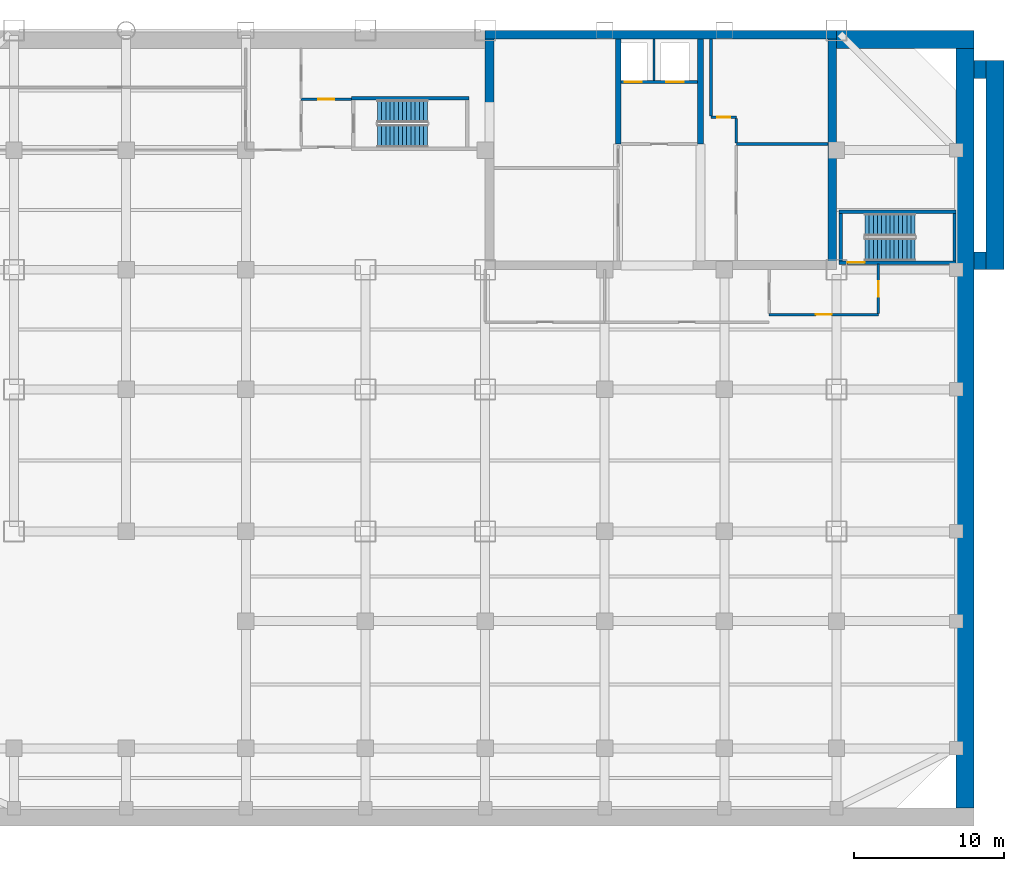
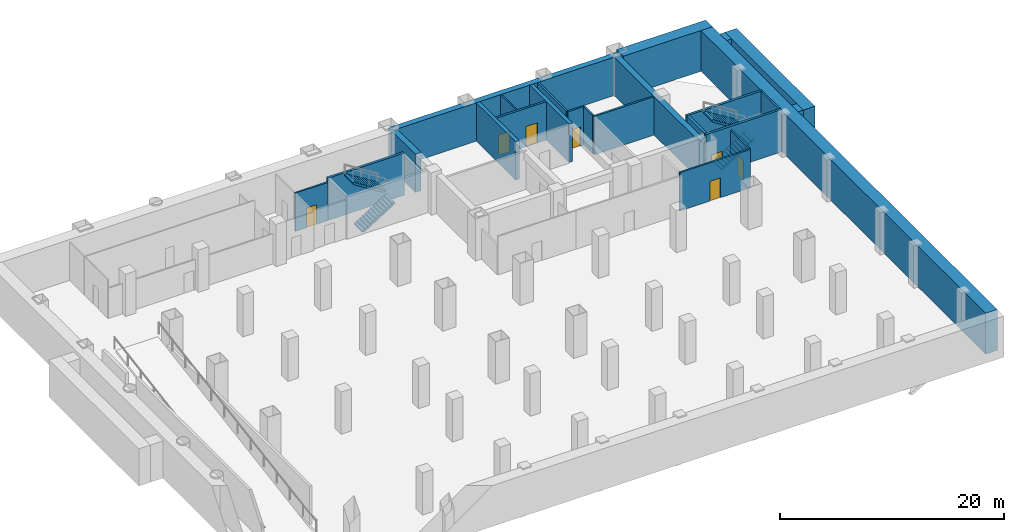
# One storey, part 5 of 8: 24 walls, 7 doors, 4 stair flights, 7 openings, 2 elements without a shape of their own.
"""IFC4 building model written with IfcOpenShell, lengths in metres."""

from ifc_helpers import new_model, si_unit, direction, frame, frame_2d, origin, place, context, subcontext, project, spatial, polyline, rectangle, outline, extrude, material, layer, layer_set, type_object, element, fill, aggregate, save


model = new_model("IFC4")

# Units and contexts
model_context = context("Model", 3, precision=1e-05, world=origin(), true_north=direction((0.0, 1.0)))
body_context = subcontext(model_context, "Body", "Model", "MODEL_VIEW")
ifc_project = project(units=[si_unit("LENGTHUNIT", "METRE"), si_unit("AREAUNIT", "SQUARE_METRE"), si_unit("VOLUMEUNIT", "CUBIC_METRE"), si_unit("PLANEANGLEUNIT", "RADIAN"), si_unit("MASSUNIT", "GRAM", prefix="KILO")], contexts=[model_context])

# Site, building, storey
site_placement = place(None, origin())
site = spatial("IfcSite", under=ifc_project, at=site_placement, CompositionType="ELEMENT")
building_placement = place(site_placement, origin())
building = spatial("IfcBuilding", under=site, at=building_placement, Name="Qianrong Seaharbour Tower", CompositionType="ELEMENT")
storey_placement = place(building_placement, frame((0.0, 0.0, -4.60009765625)))
storey = spatial("IfcBuildingStorey", under=building, at=storey_placement, Name="B01", CompositionType="ELEMENT", Elevation=-4.60009765625)

# Walls
ifc_material_1 = material(Name="Concrete C70/85", Category="concrete")
ifc_layer_1 = layer(ifc_material_1, 0.580078125)
ifc_layer_set_1 = layer_set([ifc_layer_1], Name="Concrete C70/85")
wall_type_1 = type_object("IfcWallType", Name="WALL-CORE-580", PredefinedType="SHEAR", material=ifc_layer_set_1)
wall_1_placement = place(storey_placement, frame((40.5, 51.7099609375, 0.0), z_axis=(0.0, 0.0, 1.0), x_axis=(1.0, 0.0, 0.0)))
element("IfcWall", 1, at=wall_1_placement, inside=storey, type_object=wall_type_1, Name="B01 North Core Shear Wall", PredefinedType="SHEAR", context=body_context, shape_type="SweptSolid", body=[
    extrude(rectangle(XDim=23.5, YDim=0.580078125, at=frame_2d((11.75, 0.0))), origin(), (0.0, 0.0, 1.0), 4.18017578125),
])
wall_2_placement = place(storey_placement, frame((63.7099609375, 36.320068359375, 0.0), z_axis=(0.0, 0.0, 1.0), x_axis=(0.0, 1.0, 0.0)))
element("IfcWall", 2, at=wall_2_placement, inside=storey, type_object=wall_type_1, Name="B01 East Core Shear Wall", PredefinedType="SHEAR", context=body_context, shape_type="SweptSolid", body=[
    extrude(rectangle(XDim=15.099853515625, YDim=0.580078125, at=frame_2d((7.5498046875, 0.0))), origin(), (0.0, 0.0, 1.0), 4.18017578125),
])
wall_3_placement = place(storey_placement, frame((40.7900390625, 47.199951171875, 0.0), z_axis=(0.0, 0.0, 1.0), x_axis=(0.0, 1.0, 0.0)))
element("IfcWall", 3, at=wall_3_placement, inside=storey, type_object=wall_type_1, Name="B01 West Core Shear Wall North", PredefinedType="SHEAR", context=body_context, shape_type="SweptSolid", body=[
    extrude(rectangle(XDim=4.219970703125, YDim=0.580078125, at=frame_2d((2.10986328125, 0.0))), origin(), (0.0, 0.0, 1.0), 4.18017578125),
])
ifc_material_2 = material(Name="Concrete C60/75", Category="concrete")
ifc_layer_2 = layer(ifc_material_2, 0.3798828125)
ifc_layer_set_2 = layer_set([ifc_layer_2], Name="Concrete C60/75")
wall_type_2 = type_object("IfcWallType", Name="WALL-CORE-INT-380", PredefinedType="SHEAR", material=ifc_layer_set_2)
for number, where, z_axis, x_axis, name in (
    (4, (49.39990234375, 44.39990234375, 0.0), (0.0, 0.0, 1.0), (0.0, 1.0, 0.0), "B01 Internal Core Shear Wall IW1N"),
    (5, (54.89990234375, 44.39990234375, 0.0), (0.0, 0.0, 1.0), (0.0, 1.0, 0.0), "B01 Internal Core Shear Wall IW2N"),
):
    element("IfcWall", number, at=place(storey_placement, frame(where, z_axis=z_axis, x_axis=x_axis)), inside=storey, type_object=wall_type_2, Name=name, PredefinedType="SHEAR", context=body_context, shape_type="SweptSolid", body=[
        extrude(rectangle(XDim=7.02001953125, YDim=0.3798828125, at=frame_2d((3.510009765625, 0.0))), origin(), (0.0, 0.0, 1.0), 4.18017578125),
    ])

# Wall, opening, door
ifc_material_3 = material(Name="Fire-rated acoustic gypsum board partition")
ifc_layer_3 = layer(ifc_material_3, 0.1650390625)
ifc_layer_set_3 = layer_set([ifc_layer_3], Name="Fire-rated acoustic gypsum board partition")
wall_type_3 = type_object("IfcWallType", Name="WALL-CORR-PART-165", PredefinedType="PARTITIONING", material=ifc_layer_set_3)
wall_4_placement = place(storey_placement, frame((28.199951171875, 47.39990234375, 0.0), z_axis=(0.0, 0.0, 1.0), x_axis=(1.0, 0.0, 0.0)))
wall_4 = element("IfcWall", 6, at=wall_4_placement, inside=storey, type_object=wall_type_3, Name="B01 Interior Partition Wall 012", PredefinedType="PARTITIONING", context=body_context, shape_type="SweptSolid", body=[
    extrude(rectangle(XDim=3.360107421875, YDim=0.1650390625, at=frame_2d((1.68017578125, 0.0))), origin(), (0.0, 0.0, 1.0), 4.18017578125),
])
opening_1_placement = place(wall_4_placement, frame((1.155029296875, 0.0, 0.0)))
opening_1 = element("IfcOpeningElement", 7, at=opening_1_placement, cuts=wall_4, Name="Opening DC-01", PredefinedType="OPENING", context=body_context, shape_type="SweptSolid", body=[
    extrude(rectangle(XDim=1.050048828125, YDim=2.14990234375, at=frame_2d((0.52490234375, 1.074951171875))), frame((0.0, 0.092529296875, 0.0), z_axis=(0.0, -1.0, 0.0), x_axis=(1.0, 0.0, 0.0)), (0.0, 0.0, 1.0), 0.18505859375),
])
ifc_material_4 = material(Name="Acoustic timber and galvanized steel fire door assembly", Category="steel")
door_type_1 = type_object("IfcDoorType", Name="DOOR-CORR-FD60-1050x2150", OperationType="NOTDEFINED", PredefinedType="DOOR", material=ifc_material_4)
door_1_placement = place(opening_1_placement, origin())
door_1 = element("IfcDoor", 8, at=door_1_placement, inside=storey, type_object=door_type_1, Name="B01 Basement Stair Vestibule BST-1 Door", OperationType="SINGLE_SWING_LEFT", OverallHeight=2.14990234375, OverallWidth=1.050048828125, PredefinedType="DOOR", context=body_context, shape_type="SweptSolid", body=[
    extrude(rectangle(XDim=1.050048828125, YDim=2.14990234375, at=frame_2d((0.52490234375, 1.074951171875))), frame((0.0, 0.02490234375, 0.0), z_axis=(0.0, -1.0, 0.0), x_axis=(1.0, 0.0, 0.0)), (0.0, 0.0, 1.0), 0.050048828125),
])
fill(opening_1, door_1)

wall_5_placement = place(storey_placement, frame((66.800048828125, 36.367919921875, 0.0), z_axis=(0.0, 0.0, 1.0), x_axis=(0.0, -1.0, 0.0)))
wall_5 = element("IfcWall", 9, at=wall_5_placement, inside=storey, type_object=wall_type_3, Name="B01 Interior Partition Wall 014", PredefinedType="PARTITIONING", context=body_context, shape_type="SweptSolid", body=[
    extrude(rectangle(XDim=3.29345703125, YDim=0.1650390625, at=frame_2d((1.646728515625, 0.0))), origin(), (0.0, 0.0, 1.0), 4.18017578125),
])
opening_2_placement = place(wall_5_placement, frame((1.121826171875, 0.0, 0.0)))
opening_2 = element("IfcOpeningElement", 10, at=opening_2_placement, cuts=wall_5, Name="Opening DC-01", PredefinedType="OPENING", context=body_context, shape_type="SweptSolid", body=[
    extrude(rectangle(XDim=1.050048828125, YDim=2.14990234375, at=frame_2d((0.52490234375, 1.074951171875))), frame((0.0, 0.092529296875, 0.0), z_axis=(0.0, -1.0, 0.0), x_axis=(1.0, 0.0, 0.0)), (0.0, 0.0, 1.0), 0.18505859375),
])
door_2_placement = place(opening_2_placement, origin())
door_2 = element("IfcDoor", 11, at=door_2_placement, inside=storey, type_object=door_type_1, Name="B01 Basement Stair Vestibule BST-2 Door", OperationType="SINGLE_SWING_LEFT", OverallHeight=2.14990234375, OverallWidth=1.050048828125, PredefinedType="DOOR", context=body_context, shape_type="SweptSolid", body=[
    extrude(rectangle(XDim=1.050048828125, YDim=2.14990234375, at=frame_2d((0.52490234375, 1.074951171875))), frame((0.0, 0.02490234375, 0.0), z_axis=(0.0, -1.0, 0.0), x_axis=(1.0, 0.0, 0.0)), (0.0, 0.0, 1.0), 0.050048828125),
])
fill(opening_2, door_2)

wall_6_placement = place(storey_placement, frame((66.800048828125, 33.0, 0.0), z_axis=(0.0, 0.0, 1.0), x_axis=(-1.0, 0.0, 0.0)))
wall_6 = element("IfcWall", 12, at=wall_6_placement, inside=storey, type_object=wall_type_3, Name="B01 Interior Partition Wall 015", PredefinedType="PARTITIONING", context=body_context, shape_type="SweptSolid", body=[
    extrude(rectangle(XDim=7.300048828125, YDim=0.1650390625, at=frame_2d((3.64990234375, 0.0))), origin(), (0.0, 0.0, 1.0), 4.18017578125),
])
opening_3_placement = place(wall_6_placement, frame((3.125, 0.0, 0.0)))
opening_3 = element("IfcOpeningElement", 13, at=opening_3_placement, cuts=wall_6, Name="Opening DC-01", PredefinedType="OPENING", context=body_context, shape_type="SweptSolid", body=[
    extrude(rectangle(XDim=1.050048828125, YDim=2.14990234375, at=frame_2d((0.52490234375, 1.074951171875))), frame((0.0, 0.092529296875, 0.0), z_axis=(0.0, -1.0, 0.0), x_axis=(1.0, 0.0, 0.0)), (0.0, 0.0, 1.0), 0.18505859375),
])
door_3_placement = place(opening_3_placement, origin())
door_3 = element("IfcDoor", 14, at=door_3_placement, inside=storey, type_object=door_type_1, Name="B01 Basement Stair Vestibule BST-2 Door", OperationType="SINGLE_SWING_LEFT", OverallHeight=2.14990234375, OverallWidth=1.050048828125, PredefinedType="DOOR", context=body_context, shape_type="SweptSolid", body=[
    extrude(rectangle(XDim=1.050048828125, YDim=2.14990234375, at=frame_2d((0.52490234375, 1.074951171875))), frame((0.0, 0.02490234375, 0.0), z_axis=(0.0, -1.0, 0.0), x_axis=(1.0, 0.0, 0.0)), (0.0, 0.0, 1.0), 0.050048828125),
])
fill(opening_3, door_3)

# Walls
ifc_material_5 = material(Name="Concrete C50/60", Category="concrete")
ifc_layer_4 = layer(ifc_material_5, 1.199951171875)
ifc_layer_set_4 = layer_set([ifc_layer_4], Name="Concrete C50/60")
wall_type_4 = type_object("IfcWallType", Name="WALL-DW-1200", PredefinedType="USERDEFINED", material=ifc_layer_set_4)
wall_7_placement = place(storey_placement, frame((74.60009765625, 36.0, 0.0), z_axis=(0.0, 0.0, 1.0), x_axis=(0.0, 1.0, 0.0)))
element("IfcWall", 15, at=wall_7_placement, inside=storey, type_object=wall_type_4, Name="B01 East Harbour Quay Retaining Wall", ObjectType="DIAPHRAGM WALL", PredefinedType="USERDEFINED", context=body_context, shape_type="SweptSolid", body=[
    extrude(rectangle(XDim=14.0, YDim=1.199951171875, at=frame_2d((7.0, 0.0))), origin(), (0.0, 0.0, 1.0), 4.050048828125),
])
for number, where, z_axis, x_axis, name in (
    (16, (73.199951171875, 36.60009765625, 0.0), (0.0, 0.0, 1.0), (1.0, 0.0, 0.0), "B01 East Quay Return Wall S"),
    (17, (73.199951171875, 49.39990234375, 0.0), (0.0, 0.0, 1.0), (1.0, 0.0, 0.0), "B01 East Quay Return Wall N"),
):
    element("IfcWall", number, at=place(storey_placement, frame(where, z_axis=z_axis, x_axis=x_axis)), inside=storey, type_object=wall_type_4, Name=name, ObjectType="DIAPHRAGM WALL", PredefinedType="USERDEFINED", context=body_context, shape_type="SweptSolid", body=[
        extrude(rectangle(XDim=0.800048828125, YDim=1.199951171875, at=frame_2d((0.39990234375, 0.0))), origin(), (0.0, 0.0, 1.0), 4.050048828125),
    ])
wall_8_placement = place(storey_placement, frame((64.0, 51.39990234375, 0.0), z_axis=(0.0, 0.0, 1.0), x_axis=(1.0, 0.0, 0.0)))
element("IfcWall", 18, at=wall_8_placement, inside=storey, type_object=wall_type_4, Name="B01 North-East Diaphragm Retaining Wall", ObjectType="DIAPHRAGM WALL", PredefinedType="USERDEFINED", context=body_context, shape_type="SweptSolid", body=[
    extrude(rectangle(XDim=9.199951171875, YDim=1.199951171875, at=frame_2d((4.60009765625, 0.0))), origin(), (0.0, 0.0, 1.0), 4.4501953125),
])
wall_9_placement = place(storey_placement, frame((72.60009765625, 0.0, 0.0), z_axis=(0.0, 0.0, 1.0), x_axis=(0.0, 1.0, 0.0)))
element("IfcWall", 19, at=wall_9_placement, inside=storey, type_object=wall_type_4, Name="B01 East Diaphragm Retaining Wall", ObjectType="DIAPHRAGM WALL", PredefinedType="USERDEFINED", context=body_context, shape_type="SweptSolid", body=[
    extrude(rectangle(XDim=50.800048828125, YDim=1.199951171875, at=frame_2d((25.39990234375, 0.0))), origin(), (0.0, 0.0, 1.0), 4.4501953125),
])

# Wall, opening, door
ifc_material_6 = material(Name="Double fire-rated gypsum board acoustic partition")
ifc_layer_5 = layer(ifc_material_6, 0.18994140625)
ifc_layer_set_5 = layer_set([ifc_layer_5], Name="Double fire-rated gypsum board acoustic partition")
wall_type_5 = type_object("IfcWallType", Name="WALL-FIRE-PART-190", PredefinedType="PARTITIONING", material=ifc_layer_set_5)
wall_10_placement = place(storey_placement, frame((55.60009765625, 46.199951171875, 0.0), z_axis=(0.0, 0.0, 1.0), x_axis=(1.0, 0.0, 0.0)))
wall_10 = element("IfcWall", 20, at=wall_10_placement, inside=storey, type_object=wall_type_5, Name="B01 Interior Partition Wall 005", PredefinedType="PARTITIONING", context=body_context, shape_type="SweptSolid", body=[
    extrude(rectangle(XDim=1.699951171875, YDim=0.18994140625, at=frame_2d((0.85009765625, 0.0))), origin(), (0.0, 0.0, 1.0), 4.18017578125),
])
opening_4_placement = place(wall_10_placement, frame((0.419921875, 0.0, 0.0)))
opening_4 = element("IfcOpeningElement", 21, at=opening_4_placement, cuts=wall_10, Name="Opening DU-01", PredefinedType="OPENING", context=body_context, shape_type="SweptSolid", body=[
    extrude(rectangle(XDim=0.860107421875, YDim=2.10009765625, at=frame_2d((0.43017578125, 1.050048828125))), frame((0.0, 0.10498046875, 0.0), z_axis=(0.0, -1.0, 0.0), x_axis=(1.0, 0.0, 0.0)), (0.0, 0.0, 1.0), 0.2099609375),
])
door_type_2 = type_object("IfcDoorType", Name="DOOR-UTIL-860x2100", OperationType="NOTDEFINED", PredefinedType="DOOR", material=ifc_material_4)
door_4_placement = place(opening_4_placement, origin())
door_4 = element("IfcDoor", 22, at=door_4_placement, inside=storey, type_object=door_type_2, Name="B01 Smoke Extraction Fan Room Door", OperationType="SINGLE_SWING_LEFT", OverallHeight=2.10009765625, OverallWidth=0.860107421875, PredefinedType="DOOR", context=body_context, shape_type="SweptSolid", body=[
    extrude(rectangle(XDim=0.860107421875, YDim=2.10009765625, at=frame_2d((0.43017578125, 1.050048828125))), frame((0.0, 0.02490234375, 0.0), z_axis=(0.0, -1.0, 0.0), x_axis=(1.0, 0.0, 0.0)), (0.0, 0.0, 1.0), 0.050048828125),
])
fill(opening_4, door_4)

# Walls
wall_11_placement = place(storey_placement, frame((57.300048828125, 46.113037109375, 0.0), z_axis=(0.0, 0.0, 1.0), x_axis=(0.0, -1.0, 0.0)))
element("IfcWall", 23, at=wall_11_placement, inside=storey, type_object=wall_type_5, Name="B01 Interior Partition Wall 006", PredefinedType="PARTITIONING", context=body_context, shape_type="SweptSolid", body=[
    extrude(rectangle(XDim=1.6259765625, YDim=0.18994140625, at=frame_2d((0.81298828125, 0.0))), origin(), (0.0, 0.0, 1.0), 4.18017578125),
])
wall_12_placement = place(storey_placement, frame((57.300048828125, 44.39990234375, 0.0), z_axis=(0.0, 0.0, 1.0), x_axis=(1.0, 0.0, 0.0)))
element("IfcWall", 24, at=wall_12_placement, inside=storey, type_object=wall_type_5, Name="B01 Interior Partition Wall 008", PredefinedType="PARTITIONING", context=body_context, shape_type="SweptSolid", body=[
    extrude(rectangle(XDim=6.119873046875, YDim=0.18994140625, at=frame_2d((3.06005859375, 0.0))), origin(), (0.0, 0.0, 1.0), 4.18017578125),
])
wall_13_placement = place(storey_placement, frame((55.60009765625, 46.287109375, 0.0), z_axis=(0.0, 0.0, 1.0), x_axis=(0.0, 1.0, 0.0)))
element("IfcWall", 25, at=wall_13_placement, inside=storey, type_object=wall_type_5, Name="B01 Interior Partition Wall 009", PredefinedType="PARTITIONING", context=body_context, shape_type="SweptSolid", body=[
    extrude(rectangle(XDim=5.1328125, YDim=0.18994140625, at=frame_2d((2.56640625, 0.0))), origin(), (0.0, 0.0, 1.0), 4.18017578125),
])
ifc_material_7 = material(Name="Fire-rated gypsum board on steel studs", Category="steel")
ifc_layer_6 = layer(ifc_material_7, 0.14990234375)
ifc_layer_set_6 = layer_set([ifc_layer_6], Name="Fire-rated gypsum board on steel studs")
wall_type_6 = type_object("IfcWallType", Name="WALL-SHAFT-DIV-150", PredefinedType="PARTITIONING", material=ifc_layer_set_6)
wall_14_placement = place(storey_placement, frame((51.800048828125, 48.669921875, 0.0), z_axis=(0.0, 0.0, 1.0), x_axis=(0.0, 1.0, 0.0)))
element("IfcWall", 26, at=wall_14_placement, inside=storey, type_object=wall_type_6, Name="B01 Firefighting Lift Shaft Divider Wall", PredefinedType="PARTITIONING", context=body_context, shape_type="SweptSolid", body=[
    extrude(rectangle(XDim=2.75, YDim=0.14990234375, at=frame_2d((1.375, 0.0))), origin(), (0.0, 0.0, 1.0), 4.18017578125),
])

# Wall, openings, doors
ifc_layer_7 = layer(ifc_material_7, 0.219970703125)
ifc_layer_set_7 = layer_set([ifc_layer_7], Name="Fire-rated gypsum board on steel studs")
wall_type_7 = type_object("IfcWallType", Name="WALL-SHAFT-GYP220", PredefinedType="PARTITIONING", material=ifc_layer_set_7)
wall_15_placement = place(storey_placement, frame((54.7099609375, 48.550048828125, 0.0), z_axis=(0.0, 0.0, 1.0), x_axis=(-1.0, 0.0, 0.0)))
wall_15 = element("IfcWall", 27, at=wall_15_placement, inside=storey, type_object=wall_type_7, Name="B01 Firefighting Lift Shaft Front Wall", PredefinedType="PARTITIONING", context=body_context, shape_type="SweptSolid", body=[
    extrude(rectangle(XDim=5.119873046875, YDim=0.219970703125, at=frame_2d((2.56005859375, 0.0))), origin(), (0.0, 0.0, 1.0), 4.18017578125),
])
opening_5_placement = place(wall_15_placement, frame((3.735107421875, 0.0, 0.0)))
opening_5 = element("IfcOpeningElement", 28, at=opening_5_placement, cuts=wall_15, Name="Opening LD-01", PredefinedType="OPENING", context=body_context, shape_type="SweptSolid", body=[
    extrude(rectangle(XDim=1.14990234375, YDim=2.199951171875, at=frame_2d((0.574951171875, 1.10009765625))), frame((0.0, 0.1201171875, 0.0), z_axis=(0.0, -1.0, 0.0), x_axis=(1.0, 0.0, 0.0)), (0.0, 0.0, 1.0), 0.239990234375),
])
opening_6_placement = place(wall_15_placement, frame((0.93505859375, 0.0, 0.0)))
opening_6 = element("IfcOpeningElement", 29, at=opening_6_placement, cuts=wall_15, Name="Opening LD-01", PredefinedType="OPENING", context=body_context, shape_type="SweptSolid", body=[
    extrude(rectangle(XDim=1.14990234375, YDim=2.199951171875, at=frame_2d((0.574951171875, 1.10009765625))), frame((0.0, 0.1201171875, 0.0), z_axis=(0.0, -1.0, 0.0), x_axis=(1.0, 0.0, 0.0)), (0.0, 0.0, 1.0), 0.239990234375),
])
ifc_material_8 = material(Name="Stainless steel SUS316L bi-parting lift landing door", Category="steel")
door_type_3 = type_object("IfcDoorType", Name="DOOR-LIFT-FF-1150x2200", OperationType="DOUBLE_DOOR_SLIDING", PredefinedType="DOOR", material=ifc_material_8)
door_5_placement = place(opening_5_placement, origin())
door_5 = element("IfcDoor", 30, at=door_5_placement, inside=storey, type_object=door_type_3, Name="B01 FL-1 Firefighting Lift Landing Door", OperationType="DOUBLE_DOOR_SLIDING", OverallHeight=2.199951171875, OverallWidth=1.14990234375, PredefinedType="DOOR", context=body_context, shape_type="SweptSolid", body=[
    extrude(rectangle(XDim=1.14990234375, YDim=2.199951171875, at=frame_2d((0.574951171875, 1.10009765625))), frame((0.0, 0.02490234375, 0.0), z_axis=(0.0, -1.0, 0.0), x_axis=(1.0, 0.0, 0.0)), (0.0, 0.0, 1.0), 0.050048828125),
])
fill(opening_5, door_5)
door_6_placement = place(opening_6_placement, origin())
door_6 = element("IfcDoor", 31, at=door_6_placement, inside=storey, type_object=door_type_3, Name="B01 FL-2 Firefighting Lift Landing Door", OperationType="DOUBLE_DOOR_SLIDING", OverallHeight=2.199951171875, OverallWidth=1.14990234375, PredefinedType="DOOR", context=body_context, shape_type="SweptSolid", body=[
    extrude(rectangle(XDim=1.14990234375, YDim=2.199951171875, at=frame_2d((0.574951171875, 1.10009765625))), frame((0.0, 0.02490234375, 0.0), z_axis=(0.0, -1.0, 0.0), x_axis=(1.0, 0.0, 0.0)), (0.0, 0.0, 1.0), 0.050048828125),
])
fill(opening_6, door_6)

# Walls
ifc_layer_8 = layer(ifc_material_5, 0.239990234375)
ifc_layer_set_8 = layer_set([ifc_layer_8], Name="Concrete C50/60")
wall_type_8 = type_object("IfcWallType", Name="WALL-SHAFT-RC240", PredefinedType="SOLIDWALL", material=ifc_layer_set_8)
wall_16_placement = place(storey_placement, frame((31.56005859375, 47.469970703125, 0.0), z_axis=(0.0, 0.0, 1.0), x_axis=(1.0, 0.0, 0.0)))
element("IfcWall", 32, at=wall_16_placement, inside=storey, type_object=wall_type_8, Name="B01 BST-1 Structural Stair Core Wall N", PredefinedType="SOLIDWALL", context=body_context, shape_type="SweptSolid", body=[
    extrude(rectangle(XDim=7.8798828125, YDim=0.239990234375, at=frame_2d((3.93994140625, 0.0))), origin(), (0.0, 0.0, 1.0), 4.60009765625),
])
wall_17_placement = place(storey_placement, frame((64.159912109375, 39.8701171875, 0.0), z_axis=(0.0, 0.0, 1.0), x_axis=(1.0, 0.0, 0.0)))
element("IfcWall", 33, at=wall_17_placement, inside=storey, type_object=wall_type_8, Name="B01 BST-2 Structural Stair Core Wall N", PredefinedType="SOLIDWALL", context=body_context, shape_type="SweptSolid", body=[
    extrude(rectangle(XDim=7.820068359375, YDim=0.239990234375, at=frame_2d((3.91015625, 0.0))), origin(), (0.0, 0.0, 1.0), 4.60009765625),
])

# Wall, opening, door
wall_18_placement = place(storey_placement, frame((71.97998046875, 36.47998046875, 0.0), z_axis=(0.0, 0.0, 1.0), x_axis=(-1.0, 0.0, 0.0)))
wall_18 = element("IfcWall", 34, at=wall_18_placement, inside=storey, type_object=wall_type_8, Name="B01 BST-2 Structural Stair Core Wall S", PredefinedType="SOLIDWALL", context=body_context, shape_type="SweptSolid", body=[
    extrude(rectangle(XDim=7.820068359375, YDim=0.239990234375, at=frame_2d((3.91015625, 0.0))), origin(), (0.0, 0.0, 1.0), 4.60009765625),
])
opening_7_placement = place(wall_18_placement, frame((6.080078125, 0.0, 0.0)))
opening_7 = element("IfcOpeningElement", 35, at=opening_7_placement, cuts=wall_18, Name="Opening SD-01", PredefinedType="OPENING", context=body_context, shape_type="SweptSolid", body=[
    extrude(rectangle(XDim=1.14990234375, YDim=2.199951171875, at=frame_2d((0.574951171875, 1.10009765625))), frame((0.0, 0.1298828125, 0.0), z_axis=(0.0, -1.0, 0.0), x_axis=(1.0, 0.0, 0.0)), (0.0, 0.0, 1.0), 0.260009765625),
])
door_type_4 = type_object("IfcDoorType", Name="DOOR-STAIR-FD60-1150x2200", OperationType="NOTDEFINED", PredefinedType="DOOR", material=ifc_material_4)
door_7_placement = place(opening_7_placement, origin())
door_7 = element("IfcDoor", 36, at=door_7_placement, inside=storey, type_object=door_type_4, Name="B01 BST-2 Protected Stair Door", OperationType="SINGLE_SWING_LEFT", OverallHeight=2.199951171875, OverallWidth=1.14990234375, PredefinedType="DOOR", context=body_context, shape_type="SweptSolid", body=[
    extrude(rectangle(XDim=1.14990234375, YDim=2.199951171875, at=frame_2d((0.574951171875, 1.10009765625))), frame((0.0, 0.02490234375, 0.0), z_axis=(0.0, -1.0, 0.0), x_axis=(1.0, 0.0, 0.0)), (0.0, 0.0, 1.0), 0.050048828125),
])
fill(opening_7, door_7)

# Walls
wall_19_placement = place(storey_placement, frame((64.280029296875, 39.75, 0.0), z_axis=(0.0, 0.0, 1.0), x_axis=(0.0, -1.0, 0.0)))
element("IfcWall", 37, at=wall_19_placement, inside=storey, type_object=wall_type_8, Name="B01 BST-2 Structural Stair Core Wall W", PredefinedType="SOLIDWALL", context=body_context, shape_type="SweptSolid", body=[
    extrude(rectangle(XDim=3.14990234375, YDim=0.239990234375, at=frame_2d((1.574951171875, 0.0))), origin(), (0.0, 0.0, 1.0), 4.60009765625),
])
wall_20_placement = place(storey_placement, frame((71.889892578125, 36.60009765625, 0.0), z_axis=(0.0, 0.0, 1.0), x_axis=(0.0, 1.0, 0.0)))
element("IfcWall", 38, at=wall_20_placement, inside=storey, type_object=wall_type_8, Name="B01 BST-2 Structural Stair Core Wall E", PredefinedType="SOLIDWALL", context=body_context, shape_type="SweptSolid", body=[
    extrude(rectangle(XDim=3.14990234375, YDim=0.179931640625, at=frame_2d((1.574951171875, 0.0))), origin(), (0.0, 0.0, 1.0), 4.60009765625),
])

# Stair, stair flights
stair_type = type_object("IfcStairType", Name="STAIR-DOGLEG-1500-R26", PredefinedType="HALF_TURN_STAIR", material=ifc_material_5)
stair_1_placement = place(storey_placement, origin())
stair_1 = element("IfcStair", 39, at=stair_1_placement, inside=storey, type_object=stair_type, Name="B01 Protected Escape Stair BST-1", PredefinedType="HALF_TURN_STAIR")
stair_flight_type = type_object("IfcStairFlightType", Name="FLIGHT-STR-1500-R26", PredefinedType="STRAIGHT", material=ifc_material_5)
stair_flight_1_placement = place(storey_placement, frame((33.300048828125, 44.949951171875, 0.0), z_axis=(0.0, 0.0, 1.0), x_axis=(1.0, 0.0, 0.0)))
stair_flight_1 = element("IfcStairFlight", 40, at=stair_flight_1_placement, type_object=stair_flight_type, Name="BST-1 flight 1", NumberOfRisers=13, NumberOfTreads=12, PredefinedType="STRAIGHT", RiserHeight=0.176923077, TreadLength=0.28, context=body_context, shape_type="SweptSolid", body=[
    extrude(outline(polyline([(0.0, 0.0), (0.0, 0.177001953125), (0.280029296875, 0.177001953125), (0.280029296875, 0.353759765625), (0.56005859375, 0.353759765625), (0.56005859375, 0.53076171875), (0.840087890625, 0.53076171875), (0.840087890625, 0.707763671875), (1.1201171875, 0.707763671875), (1.1201171875, 0.884521484375), (1.39990234375, 0.884521484375), (1.39990234375, 1.0615234375), (1.679931640625, 1.0615234375), (1.679931640625, 1.238525390625), (1.9599609375, 1.238525390625), (1.9599609375, 1.415283203125), (2.239990234375, 1.415283203125), (2.239990234375, 1.59228515625), (2.52001953125, 1.59228515625), (2.52001953125, 1.769287109375), (2.800048828125, 1.769287109375), (2.800048828125, 1.946044921875), (3.080078125, 1.946044921875), (3.080078125, 2.123046875), (3.360107421875, 2.123046875), (3.360107421875, 2.300048828125), (3.360107421875, 1.933837890625), (0.29931640625, 0.0), (0.0, 0.0)])), frame((0.0, 0.75, 0.0), z_axis=(0.0, -1.0, 0.0), x_axis=(1.0, 0.0, 0.0)), (0.0, 0.0, 1.0), 1.5),
])
stair_flight_2_placement = place(storey_placement, frame((36.659912109375, 46.60009765625, 2.300048828125), z_axis=(0.0, 0.0, 1.0), x_axis=(-1.0, 0.0, 0.0)))
stair_flight_2 = element("IfcStairFlight", 41, at=stair_flight_2_placement, type_object=stair_flight_type, Name="BST-1 flight 2", NumberOfRisers=13, NumberOfTreads=12, PredefinedType="STRAIGHT", RiserHeight=0.176923077, TreadLength=0.28, context=body_context, shape_type="SweptSolid", body=[
    extrude(outline(polyline([(0.0, 0.0), (0.0, 0.177001953125), (0.280029296875, 0.177001953125), (0.280029296875, 0.353759765625), (0.56005859375, 0.353759765625), (0.56005859375, 0.53076171875), (0.840087890625, 0.53076171875), (0.840087890625, 0.707763671875), (1.1201171875, 0.707763671875), (1.1201171875, 0.884521484375), (1.39990234375, 0.884521484375), (1.39990234375, 1.0615234375), (1.679931640625, 1.0615234375), (1.679931640625, 1.238525390625), (1.9599609375, 1.238525390625), (1.9599609375, 1.415283203125), (2.239990234375, 1.415283203125), (2.239990234375, 1.59228515625), (2.52001953125, 1.59228515625), (2.52001953125, 1.769287109375), (2.800048828125, 1.769287109375), (2.800048828125, 1.946044921875), (3.080078125, 1.946044921875), (3.080078125, 2.123046875), (3.360107421875, 2.123046875), (3.360107421875, 2.300048828125), (3.360107421875, 1.933837890625), (0.29931640625, 0.0), (0.0, 0.0)])), frame((0.0, 0.75, 0.0), z_axis=(0.0, -1.0, 0.0), x_axis=(1.0, 0.0, 0.0)), (0.0, 0.0, 1.0), 1.5),
])
aggregate(stair_1, [stair_flight_1, stair_flight_2])

stair_2_placement = place(storey_placement, origin())
stair_2 = element("IfcStair", 42, at=stair_2_placement, inside=storey, type_object=stair_type, Name="B01 Protected Escape Stair BST-2", PredefinedType="HALF_TURN_STAIR")
stair_flight_3_placement = place(storey_placement, frame((65.89990234375, 37.35009765625, 0.0), z_axis=(0.0, 0.0, 1.0), x_axis=(1.0, 0.0, 0.0)))
stair_flight_3 = element("IfcStairFlight", 43, at=stair_flight_3_placement, type_object=stair_flight_type, Name="BST-2 flight 1", NumberOfRisers=13, NumberOfTreads=12, PredefinedType="STRAIGHT", RiserHeight=0.176923077, TreadLength=0.28, context=body_context, shape_type="SweptSolid", body=[
    extrude(outline(polyline([(0.0, 0.0), (0.0, 0.177001953125), (0.280029296875, 0.177001953125), (0.280029296875, 0.353759765625), (0.56005859375, 0.353759765625), (0.56005859375, 0.53076171875), (0.840087890625, 0.53076171875), (0.840087890625, 0.707763671875), (1.1201171875, 0.707763671875), (1.1201171875, 0.884521484375), (1.39990234375, 0.884521484375), (1.39990234375, 1.0615234375), (1.679931640625, 1.0615234375), (1.679931640625, 1.238525390625), (1.9599609375, 1.238525390625), (1.9599609375, 1.415283203125), (2.239990234375, 1.415283203125), (2.239990234375, 1.59228515625), (2.52001953125, 1.59228515625), (2.52001953125, 1.769287109375), (2.800048828125, 1.769287109375), (2.800048828125, 1.946044921875), (3.080078125, 1.946044921875), (3.080078125, 2.123046875), (3.360107421875, 2.123046875), (3.360107421875, 2.300048828125), (3.360107421875, 1.933837890625), (0.29931640625, 0.0), (0.0, 0.0)])), frame((0.0, 0.75, 0.0), z_axis=(0.0, -1.0, 0.0), x_axis=(1.0, 0.0, 0.0)), (0.0, 0.0, 1.0), 1.5),
])
stair_flight_4_placement = place(storey_placement, frame((69.260009765625, 39.0, 2.300048828125), z_axis=(0.0, 0.0, 1.0), x_axis=(-1.0, 0.0, 0.0)))
stair_flight_4 = element("IfcStairFlight", 44, at=stair_flight_4_placement, type_object=stair_flight_type, Name="BST-2 flight 2", NumberOfRisers=13, NumberOfTreads=12, PredefinedType="STRAIGHT", RiserHeight=0.176923077, TreadLength=0.28, context=body_context, shape_type="SweptSolid", body=[
    extrude(outline(polyline([(0.0, 0.0), (0.0, 0.177001953125), (0.280029296875, 0.177001953125), (0.280029296875, 0.353759765625), (0.56005859375, 0.353759765625), (0.56005859375, 0.53076171875), (0.840087890625, 0.53076171875), (0.840087890625, 0.707763671875), (1.1201171875, 0.707763671875), (1.1201171875, 0.884521484375), (1.39990234375, 0.884521484375), (1.39990234375, 1.0615234375), (1.679931640625, 1.0615234375), (1.679931640625, 1.238525390625), (1.9599609375, 1.238525390625), (1.9599609375, 1.415283203125), (2.239990234375, 1.415283203125), (2.239990234375, 1.59228515625), (2.52001953125, 1.59228515625), (2.52001953125, 1.769287109375), (2.800048828125, 1.769287109375), (2.800048828125, 1.946044921875), (3.080078125, 1.946044921875), (3.080078125, 2.123046875), (3.360107421875, 2.123046875), (3.360107421875, 2.300048828125), (3.360107421875, 1.933837890625), (0.29931640625, 0.0), (0.0, 0.0)])), frame((0.0, 0.75, 0.0), z_axis=(0.0, -1.0, 0.0), x_axis=(1.0, 0.0, 0.0)), (0.0, 0.0, 1.0), 1.5),
])
aggregate(stair_2, [stair_flight_3, stair_flight_4])

save(model, "model.ifc")
